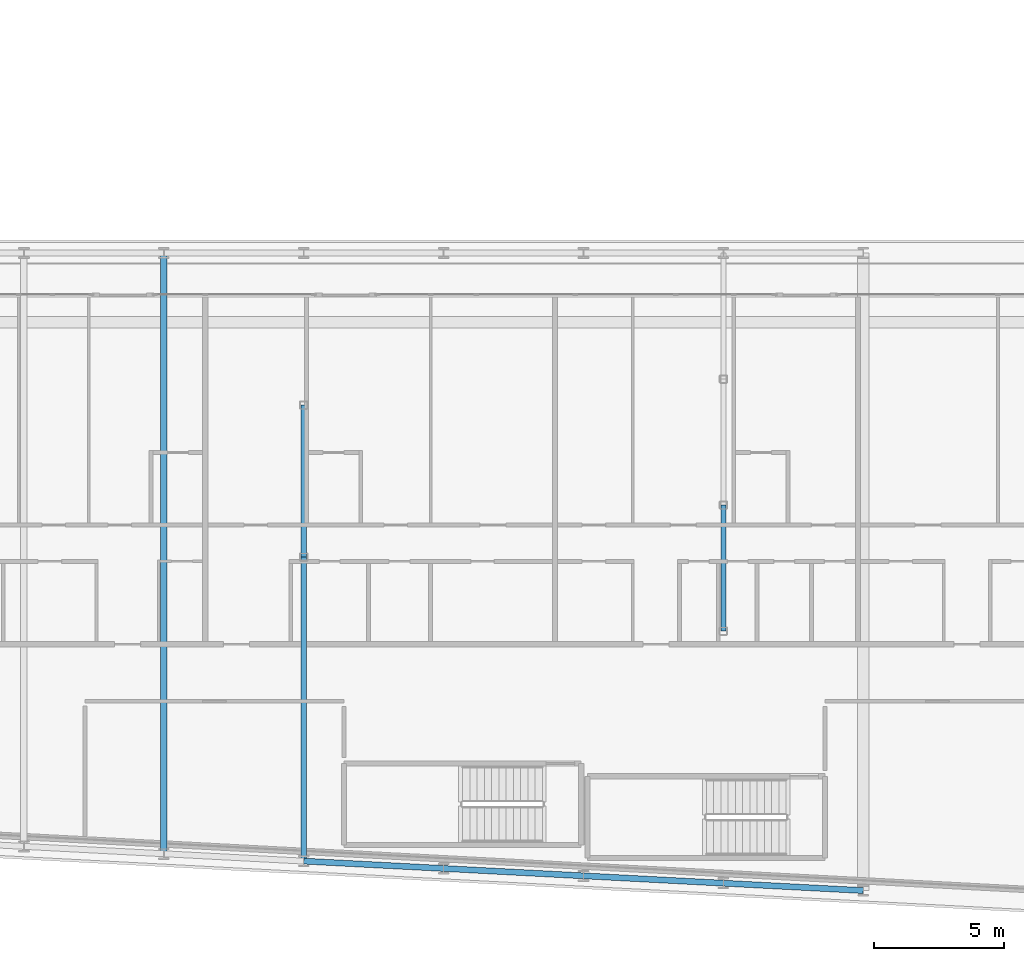
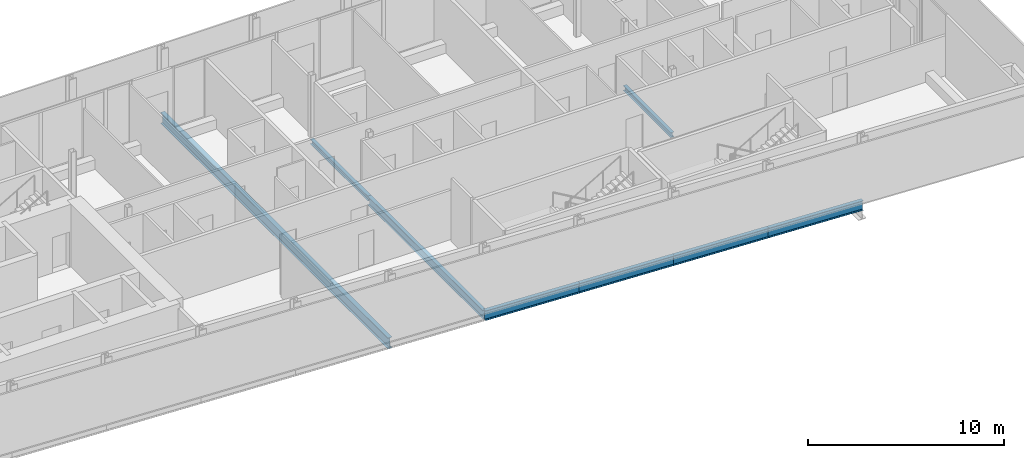
# One storey, part 7 of 28: 8 beams.
"""IFC4 building model written with IfcOpenShell, lengths in metres."""

from ifc_helpers import new_model, si_unit, direction, frame, origin, origin_2d, place, context, subcontext, project, spatial, i_section, extrude, material, material_profile, profile_set, type_object, element, save


model = new_model("IFC4")

# Units and contexts
model_context = context("Model", 3, precision=1e-05, world=origin(), true_north=direction((0.0, 1.0)))
body_context = subcontext(model_context, "Body", "Model", "MODEL_VIEW")
ifc_project = project(units=[si_unit("LENGTHUNIT", "METRE"), si_unit("AREAUNIT", "SQUARE_METRE"), si_unit("VOLUMEUNIT", "CUBIC_METRE"), si_unit("PLANEANGLEUNIT", "RADIAN"), si_unit("MASSUNIT", "GRAM", prefix="KILO")], contexts=[model_context])

# Site, building, storey
site_placement = place(None, origin())
site = spatial("IfcSite", under=ifc_project, at=site_placement, CompositionType="ELEMENT")
building_placement = place(site_placement, origin())
building = spatial("IfcBuilding", under=site, at=building_placement, Name="Kheshtan School and Residences Tower", CompositionType="ELEMENT")
storey_placement = place(building_placement, frame((0.0, 0.0, 187.699951171875)))
storey = spatial("IfcBuildingStorey", under=building, at=storey_placement, Name="L44", CompositionType="ELEMENT", Elevation=187.699951171875)

# Beams
ifc_material = material(Name="Steel ASTM A992 Grade 50", Category="steel")
ifc_material_profile_1 = material_profile(ifc_material, i_section(OverallWidth=0.202880859375, OverallDepth=0.302978515625, WebThickness=0.007568359375, FlangeThickness=0.01318359375, FilletRadius=0.009033203125, at=origin_2d()), Name="W310x60")
ifc_profile_set_1 = profile_set([ifc_material_profile_1], Name="Steel ASTM A992 Grade 50")
beam_type_1 = type_object("IfcBeamType", Name="Beam FB1 W310x60 ASTM A992 Grade 50", PredefinedType="BEAM", material=ifc_profile_set_1)
beam_1_placement = place(storey_placement, frame((85.39990234375, 31.0048828125, -0.301513671875), z_axis=(0.0, 1.0, 0.0), x_axis=(-1.0, 0.0, 0.0)))
element("IfcBeam", 1, at=beam_1_placement, inside=storey, type_object=beam_type_1, Name="Floor beam IC", PredefinedType="BEAM", context=body_context, shape_type="SweptSolid", body=[
    extrude(i_section(OverallWidth=0.202880859375, OverallDepth=0.302978515625, WebThickness=0.007568359375, FlangeThickness=0.01318359375, FilletRadius=0.009033203125, at=origin_2d()), origin(), (0.0, 0.0, 1.0), 4.865234375),
])
beam_2_placement = place(storey_placement, frame((69.199951171875, 33.863037109375, -0.301513671875), z_axis=(0.0, 1.0, 0.0), x_axis=(-1.0, 0.0, 0.0)))
element("IfcBeam", 2, at=beam_2_placement, inside=storey, type_object=beam_type_1, Name="Floor beam IC", PredefinedType="BEAM", context=body_context, shape_type="SweptSolid", body=[
    extrude(i_section(OverallWidth=0.202880859375, OverallDepth=0.302978515625, WebThickness=0.007568359375, FlangeThickness=0.01318359375, FilletRadius=0.009033203125, at=origin_2d()), origin(), (0.0, 0.0, 1.0), 5.868896484375),
])
ifc_material_profile_2 = material_profile(ifc_material, i_section(OverallWidth=0.208984375, OverallDepth=0.532958984375, WebThickness=0.01025390625, FlangeThickness=0.015625, FilletRadius=0.013916015625, at=origin_2d()), Name="W530x92")
ifc_profile_set_2 = profile_set([ifc_material_profile_2], Name="Steel ASTM A992 Grade 50")
beam_type_2 = type_object("IfcBeamType", Name="Beam FB4 W530x92 ASTM A992 Grade 50", PredefinedType="BEAM", material=ifc_profile_set_2)
beam_3_placement = place(storey_placement, frame((69.199951171875, 22.126953125, -0.41650390625), z_axis=(0.0, 1.0, 0.0), x_axis=(-1.0, 0.0, 0.0)))
element("IfcBeam", 3, at=beam_3_placement, inside=storey, type_object=beam_type_2, Name="Floor beam C014", PredefinedType="BEAM", context=body_context, shape_type="SweptSolid", body=[
    extrude(i_section(OverallWidth=0.208984375, OverallDepth=0.532958984375, WebThickness=0.01025390625, FlangeThickness=0.015625, FilletRadius=0.013916015625, at=origin_2d()), origin(), (0.0, 0.0, 1.0), 11.736083984375),
])
ifc_material_profile_3 = material_profile(ifc_material, i_section(OverallWidth=0.2529296875, OverallDepth=0.677978515625, WebThickness=0.01171875, FlangeThickness=0.016357421875, FilletRadius=0.0146484375, at=origin_2d()), Name="W690x125")
ifc_profile_set_3 = profile_set([ifc_material_profile_3], Name="Steel ASTM A992 Grade 50")
beam_type_3 = type_object("IfcBeamType", Name="Beam FB6 W690x125 ASTM A992 Grade 50", PredefinedType="BEAM", material=ifc_profile_set_3)
beam_4_placement = place(storey_placement, frame((63.800048828125, 45.60009765625, -0.489013671875), z_axis=(0.0, -1.0, 0.0), x_axis=(1.0, 0.0, 0.0)))
element("IfcBeam", 4, at=beam_4_placement, inside=storey, type_object=beam_type_3, Name="Floor beam C063", PredefinedType="BEAM", context=body_context, shape_type="SweptSolid", body=[
    extrude(i_section(OverallWidth=0.2529296875, OverallDepth=0.677978515625, WebThickness=0.01171875, FlangeThickness=0.016357421875, FilletRadius=0.0146484375, at=origin_2d()), origin(), (0.0, 0.0, 1.0), 23.189208984375),
])
ifc_material_profile_4 = material_profile(ifc_material, i_section(OverallWidth=0.22802734375, OverallDepth=0.60302734375, WebThickness=0.010498046875, FlangeThickness=0.014892578125, FilletRadius=0.013427734375, at=origin_2d()), Name="W610x101")
ifc_profile_set_4 = profile_set([ifc_material_profile_4], Name="Steel ASTM A992 Grade 50")
beam_type_4 = type_object("IfcBeamType", Name="Beam SP2 W610x101 ASTM A992 Grade 50", PredefinedType="BEAM", material=ifc_profile_set_4)
beam_5_placement = place(storey_placement, frame((90.800048828125, 20.989990234375, -0.451416015625), z_axis=(-0.998620571751, 0.05250670125, 0.0), x_axis=(-0.05250670125, -0.998620571751, 0.0)))
element("IfcBeam", 5, at=beam_5_placement, inside=storey, type_object=beam_type_4, Name="Spandrel beam C006-C008", PredefinedType="BEAM", context=body_context, shape_type="SweptSolid", body=[
    extrude(i_section(OverallWidth=0.22802734375, OverallDepth=0.60302734375, WebThickness=0.010498046875, FlangeThickness=0.014892578125, FilletRadius=0.013427734375, at=origin_2d()), origin(), (0.0, 0.0, 1.0), 5.40771484375),
])
for number, where, z_axis, x_axis, name in (
    (6, (85.39990234375, 21.27392578125, -0.451416015625), (-0.998618078766, 0.052554093665, 0.0), (-0.052554093665, -0.998618078766, 0.0), "Spandrel beam C008-C012"),
    (7, (80.0, 21.55810546875, -0.451416015625), (-0.998610961136, 0.052689166816, 0.0), (-0.052689166816, -0.998610961136, 0.0), "Spandrel beam C012-C013"),
):
    element("IfcBeam", number, at=place(storey_placement, frame(where, z_axis=z_axis, x_axis=x_axis)), inside=storey, type_object=beam_type_4, Name=name, PredefinedType="BEAM", context=body_context, shape_type="SweptSolid", body=[
        extrude(i_section(OverallWidth=0.22802734375, OverallDepth=0.60302734375, WebThickness=0.010498046875, FlangeThickness=0.014892578125, FilletRadius=0.013427734375, at=origin_2d()), origin(), (0.0, 0.0, 1.0), 5.407470703125),
    ])
beam_6_placement = place(storey_placement, frame((74.60009765625, 21.843017578125, -0.451416015625), z_axis=(-0.998620571751, 0.05250670125, 0.0), x_axis=(-0.05250670125, -0.998620571751, 0.0)))
element("IfcBeam", 8, at=beam_6_placement, inside=storey, type_object=beam_type_4, Name="Spandrel beam C013-C014", PredefinedType="BEAM", context=body_context, shape_type="SweptSolid", body=[
    extrude(i_section(OverallWidth=0.22802734375, OverallDepth=0.60302734375, WebThickness=0.010498046875, FlangeThickness=0.014892578125, FilletRadius=0.013427734375, at=origin_2d()), origin(), (0.0, 0.0, 1.0), 5.40771484375),
])

save(model, "model.ifc")
